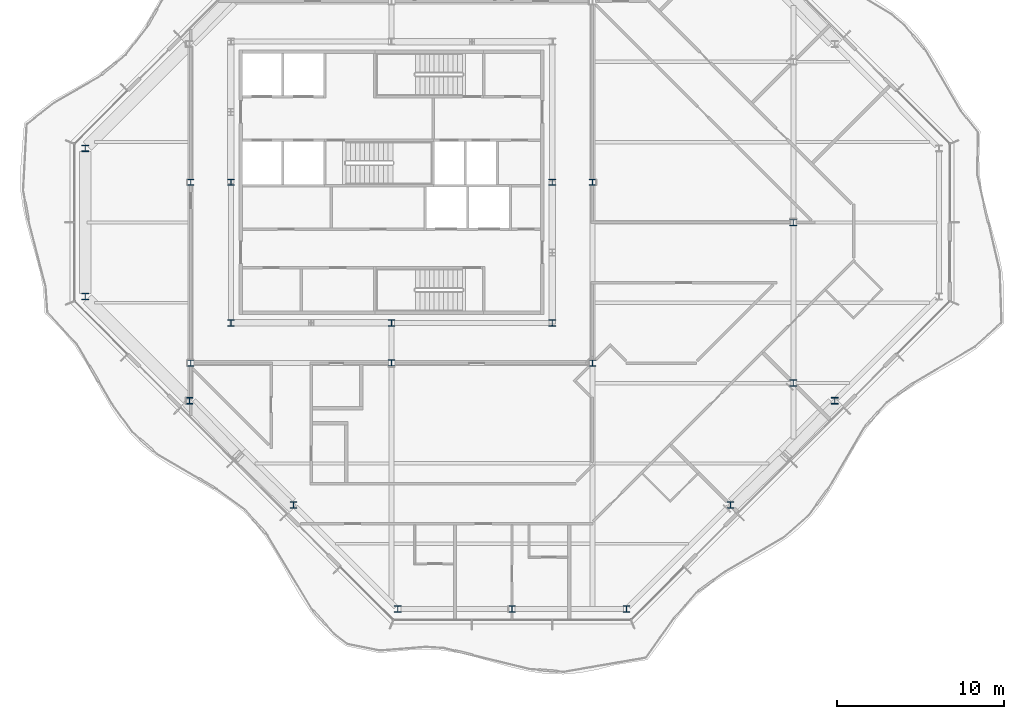
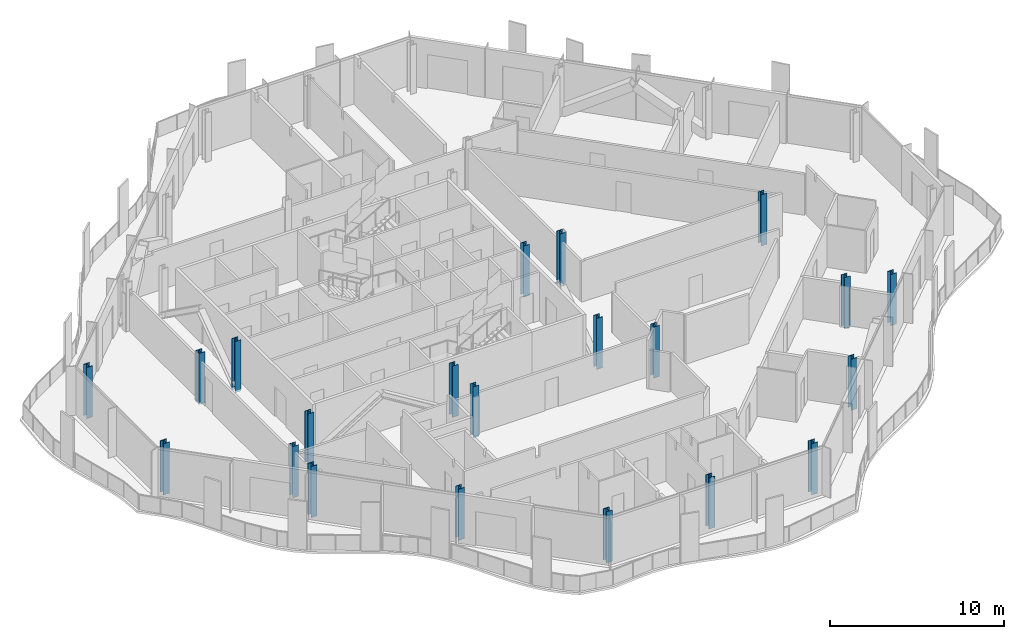
# One storey, part 1 of 17: 21 columns.
"""IFC4 building model written with IfcOpenShell, lengths in metres."""

from ifc_helpers import new_model, si_unit, direction, frame, origin, origin_2d, place, context, subcontext, project, spatial, i_section, extrude, material, material_profile, profile_set, type_object, element, save


model = new_model("IFC4")

# Units and contexts
model_context = context("Model", 3, precision=1e-05, world=origin(), true_north=direction((0.0, 1.0)))
body_context = subcontext(model_context, "Body", "Model", "MODEL_VIEW")
ifc_project = project(units=[si_unit("LENGTHUNIT", "METRE"), si_unit("AREAUNIT", "SQUARE_METRE"), si_unit("VOLUMEUNIT", "CUBIC_METRE"), si_unit("PLANEANGLEUNIT", "RADIAN"), si_unit("MASSUNIT", "GRAM", prefix="KILO")], contexts=[model_context])

# Site, building, storey
site_placement = place(None, origin())
site = spatial("IfcSite", under=ifc_project, at=site_placement, CompositionType="ELEMENT")
building_placement = place(site_placement, origin())
building = spatial("IfcBuilding", under=site, at=building_placement, Name="Cairn Pilgrim Tower", CompositionType="ELEMENT")
storey_placement = place(building_placement, frame((0.0, 0.0, 270.60009765625)))
storey = spatial("IfcBuildingStorey", under=building, at=storey_placement, Name="L69", CompositionType="ELEMENT", Elevation=270.60009765625)

# Columns
ifc_material = material(Name="Structural steel S355J2", Category="steel")
ifc_material_profile_1 = material_profile(ifc_material, i_section(OverallWidth=0.39404296875, OverallDepth=0.375, WebThickness=0.017333984375, FlangeThickness=0.027587890625, FilletRadius=0.014892578125, at=origin_2d()), Name="HD 400x216")
ifc_profile_set_1 = profile_set([ifc_material_profile_1], Name="Structural steel S355J2")
column_type_1 = type_object("IfcColumnType", Name="HD 400x216", PredefinedType="COLUMN", material=ifc_profile_set_1)
for number, where, z_axis, x_axis, name in (
    (1, (-4.800048828125, -8.39990234375, -0.150146484375), (0.0, 0.0, 1.0), (1.0, 0.0, 0.0), "IC-1"),
    (2, (7.199951171875, -8.39990234375, -0.150146484375), (0.0, 0.0, 1.0), (1.0, 0.0, 0.0), "IC-2"),
    (3, (19.199951171875, -8.39990234375, -0.150146484375), (0.0, 0.0, 1.0), (1.0, 0.0, 0.0), "IC-3"),
    (4, (-4.800048828125, 2.39990234375, -0.150146484375), (0.0, 0.0, 1.0), (1.0, 0.0, 0.0), "IC-4"),
    (5, (19.199951171875, 2.39990234375, -0.150146484375), (0.0, 0.0, 1.0), (1.0, 0.0, 0.0), "IC-5"),
    (6, (31.199951171875, -9.60009765625, -0.150146484375), (0.0, 0.0, 1.0), (1.0, 0.0, 0.0), "WC-WE-2"),
    (7, (31.199951171875, 0.0, -0.150146484375), (0.0, 0.0, 1.0), (1.0, 0.0, 0.0), "WC-WE+0"),
):
    element("IfcColumn", number, at=place(storey_placement, frame(where, z_axis=z_axis, x_axis=x_axis)), inside=storey, type_object=column_type_1, Name=name, PredefinedType="COLUMN", context=body_context, shape_type="SweptSolid", body=[
        extrude(i_section(OverallWidth=0.39404296875, OverallDepth=0.375, WebThickness=0.017333984375, FlangeThickness=0.027587890625, FilletRadius=0.014892578125, at=origin_2d()), origin(), (0.0, 0.0, 1.0), 3.60009765625),
    ])
ifc_material_profile_2 = material_profile(ifc_material, i_section(OverallWidth=0.39794921875, OverallDepth=0.386962890625, WebThickness=0.02099609375, FlangeThickness=0.033203125, FilletRadius=0.014892578125, at=origin_2d()), Name="HD 400x262")
ifc_profile_set_2 = profile_set([ifc_material_profile_2], Name="Structural steel S355J2")
column_type_2 = type_object("IfcColumnType", Name="HD 400x262", PredefinedType="COLUMN", material=ifc_profile_set_2)
for number, where, z_axis, x_axis, name in (
    (8, (-2.39990234375, -6.0, -0.150146484375), (0.0, 0.0, 1.0), (1.0, 0.0, 0.0), "KC-1"),
    (9, (7.199951171875, -6.0, -0.150146484375), (0.0, 0.0, 1.0), (1.0, 0.0, 0.0), "KC-2"),
    (10, (16.800048828125, -6.0, -0.150146484375), (0.0, 0.0, 1.0), (1.0, 0.0, 0.0), "KC-3"),
    (11, (-2.39990234375, 2.39990234375, -0.150146484375), (0.0, 0.0, 1.0), (1.0, 0.0, 0.0), "KC-4"),
    (12, (16.800048828125, 2.39990234375, -0.150146484375), (0.0, 0.0, 1.0), (1.0, 0.0, 0.0), "KC-5"),
):
    element("IfcColumn", number, at=place(storey_placement, frame(where, z_axis=z_axis, x_axis=x_axis)), inside=storey, type_object=column_type_2, Name=name, PredefinedType="COLUMN", context=body_context, shape_type="SweptSolid", body=[
        extrude(i_section(OverallWidth=0.39794921875, OverallDepth=0.386962890625, WebThickness=0.02099609375, FlangeThickness=0.033203125, FilletRadius=0.014892578125, at=origin_2d()), origin(), (0.0, 0.0, 1.0), 3.60009765625),
    ])
ifc_material_profile_3 = material_profile(ifc_material, i_section(OverallWidth=0.39892578125, OverallDepth=0.39306640625, WebThickness=0.022705078125, FlangeThickness=0.03662109375, FilletRadius=0.014892578125, at=origin_2d()), Name="HD 400x287")
ifc_profile_set_3 = profile_set([ifc_material_profile_3], Name="Structural steel S355J2")
column_type_3 = type_object("IfcColumnType", Name="HD 400x287", PredefinedType="COLUMN", material=ifc_profile_set_3)
for number, where, z_axis, x_axis, name in (
    (13, (7.57275390625, -23.10009765625, -0.150146484375), (0.0, 0.0, 1.0), (1.0, 0.0, 0.0), "PC4-S1"),
    (14, (14.39990234375, -23.10009765625, -0.150146484375), (0.0, 0.0, 1.0), (1.0, 0.0, 0.0), "PC4-S2"),
    (15, (21.227294921875, -23.10009765625, -0.150146484375), (0.0, 0.0, 1.0), (1.0, 0.0, 0.0), "PC4-SE1"),
    (16, (27.451416015625, -16.875732421875, -0.150146484375), (0.0, 0.0, 1.0), (1.0, 0.0, 0.0), "PC4-SE2"),
    (17, (33.67578125, -10.651611328125, -0.150146484375), (0.0, 0.0, 1.0), (1.0, 0.0, 0.0), "PC4-SE3"),
    (18, (-11.10009765625, 4.42724609375, -0.150146484375), (0.0, 0.0, 1.0), (1.0, 0.0, 0.0), "PC4-W1"),
    (19, (-11.10009765625, -4.42724609375, -0.150146484375), (0.0, 0.0, 1.0), (1.0, 0.0, 0.0), "PC4-SW1"),
    (20, (-4.875732421875, -10.651611328125, -0.150146484375), (0.0, 0.0, 1.0), (1.0, 0.0, 0.0), "PC4-SW2"),
    (21, (1.348388671875, -16.875732421875, -0.150146484375), (0.0, 0.0, 1.0), (1.0, 0.0, 0.0), "PC4-SW3"),
):
    element("IfcColumn", number, at=place(storey_placement, frame(where, z_axis=z_axis, x_axis=x_axis)), inside=storey, type_object=column_type_3, Name=name, PredefinedType="COLUMN", context=body_context, shape_type="SweptSolid", body=[
        extrude(i_section(OverallWidth=0.39892578125, OverallDepth=0.39306640625, WebThickness=0.022705078125, FlangeThickness=0.03662109375, FilletRadius=0.014892578125, at=origin_2d()), origin(), (0.0, 0.0, 1.0), 3.60009765625),
    ])

save(model, "model.ifc")
